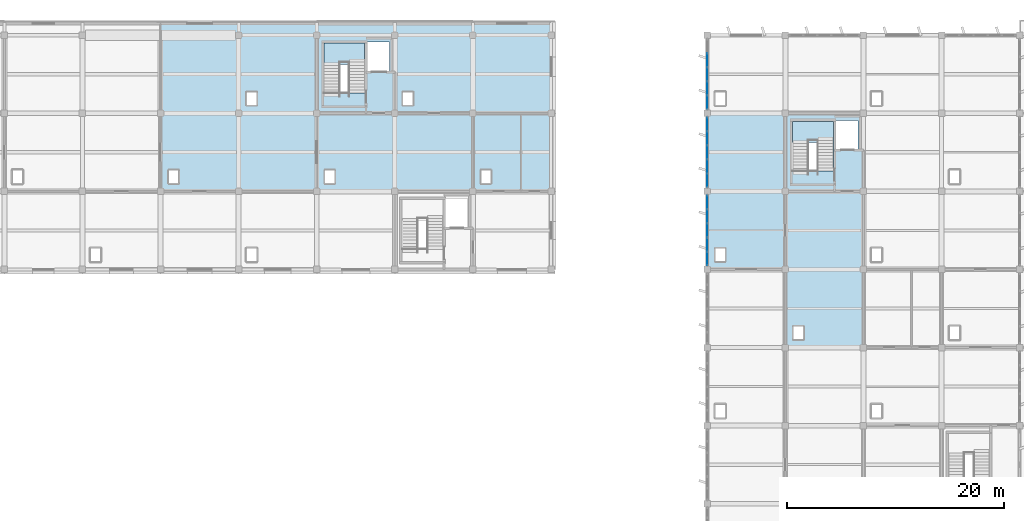
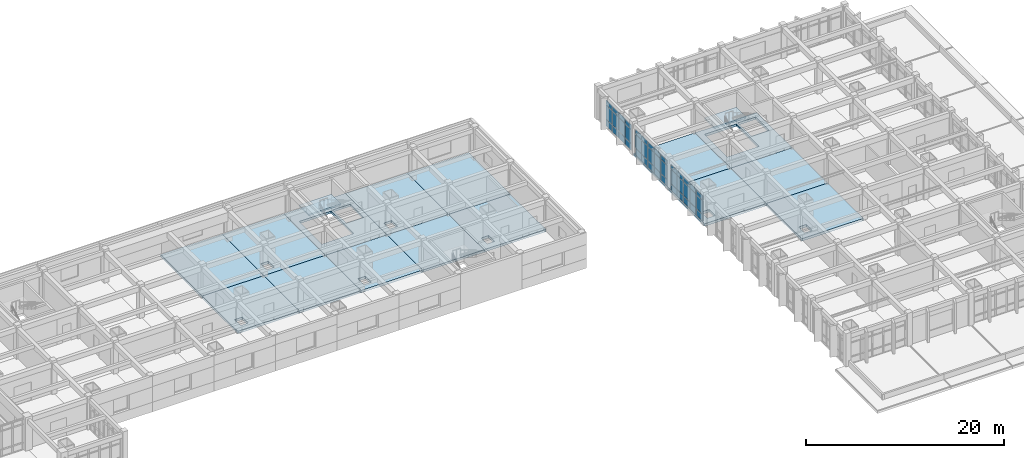
# One storey, part 40 of 62: 42 plates, 17 slabs, 5 elements without a shape of their own.
"""IFC4 building model written with IfcOpenShell, lengths in metres."""

from ifc_helpers import new_model, si_unit, direction, frame, origin, origin_2d, place, context, subcontext, project, spatial, polyline, rectangle, outline, extrude, material, layer, layer_set, type_object, element, aggregate, save


model = new_model("IFC4")

# Units and contexts
model_context = context("Model", 3, precision=1e-05, world=origin(), true_north=direction((0.0, 1.0)))
body_context = subcontext(model_context, "Body", "Model", "MODEL_VIEW")
ifc_project = project(units=[si_unit("LENGTHUNIT", "METRE"), si_unit("AREAUNIT", "SQUARE_METRE"), si_unit("VOLUMEUNIT", "CUBIC_METRE"), si_unit("PLANEANGLEUNIT", "RADIAN"), si_unit("MASSUNIT", "GRAM", prefix="KILO")], contexts=[model_context])

# Site, building, storey
site_placement = place(None, origin())
site = spatial("IfcSite", under=ifc_project, at=site_placement, CompositionType="ELEMENT")
building_placement = place(site_placement, origin())
building = spatial("IfcBuilding", under=site, at=building_placement, Name="Kavelor Marine Aquarium", CompositionType="ELEMENT")
storey_placement = place(building_placement, frame((0.0, 0.0, 13.5)))
storey = spatial("IfcBuildingStorey", under=building, at=storey_placement, Name="L03", CompositionType="ELEMENT", Elevation=13.5)

# Curtain wall, plates
ifc_material_1 = material(Name="Thermally Broken Aluminium and Low-E Glass", Category="aluminium")
ifc_layer_1 = layer(ifc_material_1, 0.18798828125)
ifc_layer_set_1 = layer_set([ifc_layer_1], Name="CW-SYS6")
curtain_wall_type_1 = type_object("IfcCurtainWallType", Name="CW-SYS6", PredefinedType="USERDEFINED", material=ifc_layer_set_1)
curtain_wall_1_placement = place(storey_placement, origin())
curtain_wall_1 = element("IfcCurtainWall", 1, at=curtain_wall_1_placement, inside=storey, type_object=curtain_wall_type_1, Name="cw:y:L03:16_12", ObjectType="Curtain Wall", PredefinedType="USERDEFINED")
ifc_material_2 = material(Name="Solar-Control Double Low-E Glazing", Category="glass")
ifc_layer_2 = layer(ifc_material_2, 0.035888671875)
ifc_layer_set_2 = layer_set([ifc_layer_2], Name="CWP-06")
plate_type_1 = type_object("IfcPlateType", Name="CWP-06", PredefinedType="CURTAIN_PANEL", material=ifc_layer_set_2)
plate_1_placement = place(storey_placement, frame((118.39990234375, 95.388916015625, 0.074951171875), z_axis=(0.0, 0.0, 1.0), x_axis=(0.0, -1.0, 0.0)))
plate_1 = element("IfcPlate", 2, at=plate_1_placement, type_object=plate_type_1, Name="CW06 panel 1.1", PredefinedType="CURTAIN_PANEL", context=body_context, shape_type="SweptSolid", body=[
    extrude(rectangle(XDim=1.2119140625, YDim=0.035888671875, at=origin_2d()), origin(), (0.0, 0.0, 1.0), 0.78759765625),
])
plate_2_placement = place(storey_placement, frame((118.39990234375, 95.388916015625, 0.9375), z_axis=(0.0, 0.0, 1.0), x_axis=(0.0, -1.0, 0.0)))
plate_2 = element("IfcPlate", 3, at=plate_2_placement, type_object=plate_type_1, Name="CW06 panel 1.2", PredefinedType="CURTAIN_PANEL", context=body_context, shape_type="SweptSolid", body=[
    extrude(rectangle(XDim=1.2119140625, YDim=0.035888671875, at=origin_2d()), origin(), (0.0, 0.0, 1.0), 1.675048828125),
])
plate_3_placement = place(storey_placement, frame((118.39990234375, 95.388916015625, 2.6875), z_axis=(0.0, 0.0, 1.0), x_axis=(0.0, -1.0, 0.0)))
plate_3 = element("IfcPlate", 4, at=plate_3_placement, type_object=plate_type_1, Name="CW06 panel 1.3", PredefinedType="CURTAIN_PANEL", context=body_context, shape_type="SweptSolid", body=[
    extrude(rectangle(XDim=1.2119140625, YDim=0.035888671875, at=origin_2d()), origin(), (0.0, 0.0, 1.0), 0.53759765625),
])
plate_4_placement = place(storey_placement, frame((118.39990234375, 94.10205078125, 0.074951171875), z_axis=(0.0, 0.0, 1.0), x_axis=(0.0, -1.0, 0.0)))
plate_4 = element("IfcPlate", 5, at=plate_4_placement, type_object=plate_type_1, Name="CW06 panel 2.1", PredefinedType="CURTAIN_PANEL", context=body_context, shape_type="SweptSolid", body=[
    extrude(rectangle(XDim=1.241943359375, YDim=0.035888671875, at=origin_2d()), origin(), (0.0, 0.0, 1.0), 0.78759765625),
])
plate_5_placement = place(storey_placement, frame((118.39990234375, 94.10205078125, 0.9375), z_axis=(0.0, 0.0, 1.0), x_axis=(0.0, -1.0, 0.0)))
plate_5 = element("IfcPlate", 6, at=plate_5_placement, type_object=plate_type_1, Name="CW06 panel 2.2", PredefinedType="CURTAIN_PANEL", context=body_context, shape_type="SweptSolid", body=[
    extrude(rectangle(XDim=1.241943359375, YDim=0.035888671875, at=origin_2d()), origin(), (0.0, 0.0, 1.0), 1.675048828125),
])
plate_6_placement = place(storey_placement, frame((118.39990234375, 94.10205078125, 2.6875), z_axis=(0.0, 0.0, 1.0), x_axis=(0.0, -1.0, 0.0)))
plate_6 = element("IfcPlate", 7, at=plate_6_placement, type_object=plate_type_1, Name="CW06 panel 2.3", PredefinedType="CURTAIN_PANEL", context=body_context, shape_type="SweptSolid", body=[
    extrude(rectangle(XDim=1.241943359375, YDim=0.035888671875, at=origin_2d()), origin(), (0.0, 0.0, 1.0), 0.53759765625),
])
plate_7_placement = place(storey_placement, frame((118.39990234375, 92.800048828125, 0.074951171875), z_axis=(0.0, 0.0, 1.0), x_axis=(0.0, -1.0, 0.0)))
plate_7 = element("IfcPlate", 8, at=plate_7_placement, type_object=plate_type_1, Name="CW06 panel 3.1", PredefinedType="CURTAIN_PANEL", context=body_context, shape_type="SweptSolid", body=[
    extrude(rectangle(XDim=1.241943359375, YDim=0.035888671875, at=origin_2d()), origin(), (0.0, 0.0, 1.0), 0.78759765625),
])
plate_8_placement = place(storey_placement, frame((118.39990234375, 92.800048828125, 0.9375), z_axis=(0.0, 0.0, 1.0), x_axis=(0.0, -1.0, 0.0)))
plate_8 = element("IfcPlate", 9, at=plate_8_placement, type_object=plate_type_1, Name="CW06 panel 3.2", PredefinedType="CURTAIN_PANEL", context=body_context, shape_type="SweptSolid", body=[
    extrude(rectangle(XDim=1.241943359375, YDim=0.035888671875, at=origin_2d()), origin(), (0.0, 0.0, 1.0), 1.675048828125),
])
plate_9_placement = place(storey_placement, frame((118.39990234375, 92.800048828125, 2.6875), z_axis=(0.0, 0.0, 1.0), x_axis=(0.0, -1.0, 0.0)))
plate_9 = element("IfcPlate", 10, at=plate_9_placement, type_object=plate_type_1, Name="CW06 panel 3.3", PredefinedType="CURTAIN_PANEL", context=body_context, shape_type="SweptSolid", body=[
    extrude(rectangle(XDim=1.241943359375, YDim=0.035888671875, at=origin_2d()), origin(), (0.0, 0.0, 1.0), 0.53759765625),
])
plate_10_placement = place(storey_placement, frame((118.39990234375, 91.498046875, 0.074951171875), z_axis=(0.0, 0.0, 1.0), x_axis=(0.0, -1.0, 0.0)))
plate_10 = element("IfcPlate", 11, at=plate_10_placement, type_object=plate_type_1, Name="CW06 panel 4.1", PredefinedType="CURTAIN_PANEL", context=body_context, shape_type="SweptSolid", body=[
    extrude(rectangle(XDim=1.241943359375, YDim=0.035888671875, at=origin_2d()), origin(), (0.0, 0.0, 1.0), 0.78759765625),
])
plate_11_placement = place(storey_placement, frame((118.39990234375, 91.498046875, 0.9375), z_axis=(0.0, 0.0, 1.0), x_axis=(0.0, -1.0, 0.0)))
plate_11 = element("IfcPlate", 12, at=plate_11_placement, type_object=plate_type_1, Name="CW06 panel 4.2", PredefinedType="CURTAIN_PANEL", context=body_context, shape_type="SweptSolid", body=[
    extrude(rectangle(XDim=1.241943359375, YDim=0.035888671875, at=origin_2d()), origin(), (0.0, 0.0, 1.0), 1.675048828125),
])
plate_12_placement = place(storey_placement, frame((118.39990234375, 91.498046875, 2.6875), z_axis=(0.0, 0.0, 1.0), x_axis=(0.0, -1.0, 0.0)))
plate_12 = element("IfcPlate", 13, at=plate_12_placement, type_object=plate_type_1, Name="CW06 panel 4.3", PredefinedType="CURTAIN_PANEL", context=body_context, shape_type="SweptSolid", body=[
    extrude(rectangle(XDim=1.241943359375, YDim=0.035888671875, at=origin_2d()), origin(), (0.0, 0.0, 1.0), 0.53759765625),
])
plate_13_placement = place(storey_placement, frame((118.39990234375, 90.2109375, 0.074951171875), z_axis=(0.0, 0.0, 1.0), x_axis=(0.0, -1.0, 0.0)))
plate_13 = element("IfcPlate", 14, at=plate_13_placement, type_object=plate_type_1, Name="CW06 panel 5.1", PredefinedType="CURTAIN_PANEL", context=body_context, shape_type="SweptSolid", body=[
    extrude(rectangle(XDim=1.2119140625, YDim=0.035888671875, at=origin_2d()), origin(), (0.0, 0.0, 1.0), 0.78759765625),
])
plate_14_placement = place(storey_placement, frame((118.39990234375, 90.2109375, 0.9375), z_axis=(0.0, 0.0, 1.0), x_axis=(0.0, -1.0, 0.0)))
plate_14 = element("IfcPlate", 15, at=plate_14_placement, type_object=plate_type_1, Name="CW06 panel 5.2", PredefinedType="CURTAIN_PANEL", context=body_context, shape_type="SweptSolid", body=[
    extrude(rectangle(XDim=1.2119140625, YDim=0.035888671875, at=origin_2d()), origin(), (0.0, 0.0, 1.0), 1.675048828125),
])
plate_15_placement = place(storey_placement, frame((118.39990234375, 90.2109375, 2.6875), z_axis=(0.0, 0.0, 1.0), x_axis=(0.0, -1.0, 0.0)))
plate_15 = element("IfcPlate", 16, at=plate_15_placement, type_object=plate_type_1, Name="CW06 panel 5.3", PredefinedType="CURTAIN_PANEL", context=body_context, shape_type="SweptSolid", body=[
    extrude(rectangle(XDim=1.2119140625, YDim=0.035888671875, at=origin_2d()), origin(), (0.0, 0.0, 1.0), 0.53759765625),
])
aggregate(curtain_wall_1, [plate_1, plate_2, plate_3, plate_4, plate_5, plate_6, plate_7, plate_8, plate_9, plate_10, plate_11, plate_12, plate_13, plate_14, plate_15])

ifc_material_3 = material(Name="Thermally Broken Aluminium and Low-E Glass", Category="aluminium")
ifc_layer_3 = layer(ifc_material_3, 0.196044921875)
ifc_layer_set_3 = layer_set([ifc_layer_3], Name="CW-SYS7")
curtain_wall_type_2 = type_object("IfcCurtainWallType", Name="CW-SYS7", PredefinedType="USERDEFINED", material=ifc_layer_set_3)
curtain_wall_2_placement = place(storey_placement, origin())
curtain_wall_2 = element("IfcCurtainWall", 17, at=curtain_wall_2_placement, inside=storey, type_object=curtain_wall_type_2, Name="cw:y:L03:16_13", ObjectType="Curtain Wall", PredefinedType="USERDEFINED")
ifc_material_4 = material(Name="Solar-Control Double Low-E Glazing", Category="glass")
ifc_layer_4 = layer(ifc_material_4, 0.0380859375)
ifc_layer_set_4 = layer_set([ifc_layer_4], Name="CWP-07")
plate_type_2 = type_object("IfcPlateType", Name="CWP-07", PredefinedType="CURTAIN_PANEL", material=ifc_layer_set_4)
plate_16_placement = place(storey_placement, frame((118.39990234375, 102.585205078125, 0.074951171875), z_axis=(0.0, 0.0, 1.0), x_axis=(0.0, -1.0, 0.0)))
plate_16 = element("IfcPlate", 18, at=plate_16_placement, type_object=plate_type_2, Name="CW07 panel 1.1", PredefinedType="CURTAIN_PANEL", context=body_context, shape_type="SweptSolid", body=[
    extrude(rectangle(XDim=1.189453125, YDim=0.0380859375, at=origin_2d()), origin(), (0.0, 0.0, 1.0), 0.78759765625),
])
plate_17_placement = place(storey_placement, frame((118.39990234375, 102.585205078125, 0.9375), z_axis=(0.0, 0.0, 1.0), x_axis=(0.0, -1.0, 0.0)))
plate_17 = element("IfcPlate", 19, at=plate_17_placement, type_object=plate_type_2, Name="CW07 panel 1.2", PredefinedType="CURTAIN_PANEL", context=body_context, shape_type="SweptSolid", body=[
    extrude(rectangle(XDim=1.189453125, YDim=0.0380859375, at=origin_2d()), origin(), (0.0, 0.0, 1.0), 1.675048828125),
])
plate_18_placement = place(storey_placement, frame((118.39990234375, 102.585205078125, 2.6875), z_axis=(0.0, 0.0, 1.0), x_axis=(0.0, -1.0, 0.0)))
plate_18 = element("IfcPlate", 20, at=plate_18_placement, type_object=plate_type_2, Name="CW07 panel 1.3", PredefinedType="CURTAIN_PANEL", context=body_context, shape_type="SweptSolid", body=[
    extrude(rectangle(XDim=1.189453125, YDim=0.0380859375, at=origin_2d()), origin(), (0.0, 0.0, 1.0), 0.53759765625),
])
plate_19_placement = place(storey_placement, frame((118.39990234375, 101.302001953125, 0.074951171875), z_axis=(0.0, 0.0, 1.0), x_axis=(0.0, -1.0, 0.0)))
plate_19 = element("IfcPlate", 21, at=plate_19_placement, type_object=plate_type_2, Name="CW07 panel 2.1", PredefinedType="CURTAIN_PANEL", context=body_context, shape_type="SweptSolid", body=[
    extrude(rectangle(XDim=1.22705078125, YDim=0.0380859375, at=origin_2d()), origin(), (0.0, 0.0, 1.0), 0.78759765625),
])
plate_20_placement = place(storey_placement, frame((118.39990234375, 101.302001953125, 0.9375), z_axis=(0.0, 0.0, 1.0), x_axis=(0.0, -1.0, 0.0)))
plate_20 = element("IfcPlate", 22, at=plate_20_placement, type_object=plate_type_2, Name="CW07 panel 2.2", PredefinedType="CURTAIN_PANEL", context=body_context, shape_type="SweptSolid", body=[
    extrude(rectangle(XDim=1.22705078125, YDim=0.0380859375, at=origin_2d()), origin(), (0.0, 0.0, 1.0), 1.675048828125),
])
plate_21_placement = place(storey_placement, frame((118.39990234375, 101.302001953125, 2.6875), z_axis=(0.0, 0.0, 1.0), x_axis=(0.0, -1.0, 0.0)))
plate_21 = element("IfcPlate", 23, at=plate_21_placement, type_object=plate_type_2, Name="CW07 panel 2.3", PredefinedType="CURTAIN_PANEL", context=body_context, shape_type="SweptSolid", body=[
    extrude(rectangle(XDim=1.22705078125, YDim=0.0380859375, at=origin_2d()), origin(), (0.0, 0.0, 1.0), 0.53759765625),
])
plate_22_placement = place(storey_placement, frame((118.39990234375, 100.0, 0.074951171875), z_axis=(0.0, 0.0, 1.0), x_axis=(0.0, -1.0, 0.0)))
plate_22 = element("IfcPlate", 24, at=plate_22_placement, type_object=plate_type_2, Name="CW07 panel 3.1", PredefinedType="CURTAIN_PANEL", context=body_context, shape_type="SweptSolid", body=[
    extrude(rectangle(XDim=1.22705078125, YDim=0.0380859375, at=origin_2d()), origin(), (0.0, 0.0, 1.0), 0.78759765625),
])
plate_23_placement = place(storey_placement, frame((118.39990234375, 100.0, 0.9375), z_axis=(0.0, 0.0, 1.0), x_axis=(0.0, -1.0, 0.0)))
plate_23 = element("IfcPlate", 25, at=plate_23_placement, type_object=plate_type_2, Name="CW07 panel 3.2", PredefinedType="CURTAIN_PANEL", context=body_context, shape_type="SweptSolid", body=[
    extrude(rectangle(XDim=1.22705078125, YDim=0.0380859375, at=origin_2d()), origin(), (0.0, 0.0, 1.0), 1.675048828125),
])
plate_24_placement = place(storey_placement, frame((118.39990234375, 100.0, 2.6875), z_axis=(0.0, 0.0, 1.0), x_axis=(0.0, -1.0, 0.0)))
plate_24 = element("IfcPlate", 26, at=plate_24_placement, type_object=plate_type_2, Name="CW07 panel 3.3", PredefinedType="CURTAIN_PANEL", context=body_context, shape_type="SweptSolid", body=[
    extrude(rectangle(XDim=1.22705078125, YDim=0.0380859375, at=origin_2d()), origin(), (0.0, 0.0, 1.0), 0.53759765625),
])
plate_25_placement = place(storey_placement, frame((118.39990234375, 98.697998046875, 0.074951171875), z_axis=(0.0, 0.0, 1.0), x_axis=(0.0, -1.0, 0.0)))
plate_25 = element("IfcPlate", 27, at=plate_25_placement, type_object=plate_type_2, Name="CW07 panel 4.1", PredefinedType="CURTAIN_PANEL", context=body_context, shape_type="SweptSolid", body=[
    extrude(rectangle(XDim=1.22705078125, YDim=0.0380859375, at=origin_2d()), origin(), (0.0, 0.0, 1.0), 0.78759765625),
])
plate_26_placement = place(storey_placement, frame((118.39990234375, 98.697998046875, 0.9375), z_axis=(0.0, 0.0, 1.0), x_axis=(0.0, -1.0, 0.0)))
plate_26 = element("IfcPlate", 28, at=plate_26_placement, type_object=plate_type_2, Name="CW07 panel 4.2", PredefinedType="CURTAIN_PANEL", context=body_context, shape_type="SweptSolid", body=[
    extrude(rectangle(XDim=1.22705078125, YDim=0.0380859375, at=origin_2d()), origin(), (0.0, 0.0, 1.0), 1.675048828125),
])
plate_27_placement = place(storey_placement, frame((118.39990234375, 98.697998046875, 2.6875), z_axis=(0.0, 0.0, 1.0), x_axis=(0.0, -1.0, 0.0)))
plate_27 = element("IfcPlate", 29, at=plate_27_placement, type_object=plate_type_2, Name="CW07 panel 4.3", PredefinedType="CURTAIN_PANEL", context=body_context, shape_type="SweptSolid", body=[
    extrude(rectangle(XDim=1.22705078125, YDim=0.0380859375, at=origin_2d()), origin(), (0.0, 0.0, 1.0), 0.53759765625),
])
plate_28_placement = place(storey_placement, frame((118.39990234375, 97.414794921875, 0.074951171875), z_axis=(0.0, 0.0, 1.0), x_axis=(0.0, -1.0, 0.0)))
plate_28 = element("IfcPlate", 30, at=plate_28_placement, type_object=plate_type_2, Name="CW07 panel 5.1", PredefinedType="CURTAIN_PANEL", context=body_context, shape_type="SweptSolid", body=[
    extrude(rectangle(XDim=1.189453125, YDim=0.0380859375, at=origin_2d()), origin(), (0.0, 0.0, 1.0), 0.78759765625),
])
plate_29_placement = place(storey_placement, frame((118.39990234375, 97.414794921875, 0.9375), z_axis=(0.0, 0.0, 1.0), x_axis=(0.0, -1.0, 0.0)))
plate_29 = element("IfcPlate", 31, at=plate_29_placement, type_object=plate_type_2, Name="CW07 panel 5.2", PredefinedType="CURTAIN_PANEL", context=body_context, shape_type="SweptSolid", body=[
    extrude(rectangle(XDim=1.189453125, YDim=0.0380859375, at=origin_2d()), origin(), (0.0, 0.0, 1.0), 1.675048828125),
])
plate_30_placement = place(storey_placement, frame((118.39990234375, 97.414794921875, 2.6875), z_axis=(0.0, 0.0, 1.0), x_axis=(0.0, -1.0, 0.0)))
plate_30 = element("IfcPlate", 32, at=plate_30_placement, type_object=plate_type_2, Name="CW07 panel 5.3", PredefinedType="CURTAIN_PANEL", context=body_context, shape_type="SweptSolid", body=[
    extrude(rectangle(XDim=1.189453125, YDim=0.0380859375, at=origin_2d()), origin(), (0.0, 0.0, 1.0), 0.53759765625),
])
aggregate(curtain_wall_2, [plate_16, plate_17, plate_18, plate_19, plate_20, plate_21, plate_22, plate_23, plate_24, plate_25, plate_26, plate_27, plate_28, plate_29, plate_30])

ifc_material_5 = material(Name="Thermally Broken Aluminium and Low-E Glass", Category="aluminium")
ifc_layer_5 = layer(ifc_material_5, 0.2041015625)
ifc_layer_set_5 = layer_set([ifc_layer_5], Name="CW-SYS8")
curtain_wall_type_3 = type_object("IfcCurtainWallType", Name="CW-SYS8", PredefinedType="USERDEFINED", material=ifc_layer_set_5)
curtain_wall_3_placement = place(storey_placement, origin())
curtain_wall_3 = element("IfcCurtainWall", 33, at=curtain_wall_3_placement, inside=storey, type_object=curtain_wall_type_3, Name="cw:y:L03:16_14", ObjectType="Curtain Wall", PredefinedType="USERDEFINED")
ifc_material_6 = material(Name="Solar-Control Double Low-E Glazing", Category="glass")
ifc_layer_6 = layer(ifc_material_6, 0.0400390625)
ifc_layer_set_6 = layer_set([ifc_layer_6], Name="CWP-08")
plate_type_3 = type_object("IfcPlateType", Name="CWP-08", PredefinedType="CURTAIN_PANEL", material=ifc_layer_set_6)
plate_31_placement = place(storey_placement, frame((118.39990234375, 108.501953125, 0.06494140625), z_axis=(0.0, 0.0, 1.0), x_axis=(0.0, -1.0, 0.0)))
plate_31 = element("IfcPlate", 34, at=plate_31_placement, type_object=plate_type_3, Name="CW08 panel 2.1", PredefinedType="CURTAIN_PANEL", context=body_context, shape_type="SweptSolid", body=[
    extrude(rectangle(XDim=1.237060546875, YDim=0.0400390625, at=origin_2d()), origin(), (0.0, 0.0, 1.0), 0.802490234375),
])
plate_32_placement = place(storey_placement, frame((118.39990234375, 108.501953125, 0.932373046875), z_axis=(0.0, 0.0, 1.0), x_axis=(0.0, -1.0, 0.0)))
plate_32 = element("IfcPlate", 35, at=plate_32_placement, type_object=plate_type_3, Name="CW08 panel 2.2", PredefinedType="CURTAIN_PANEL", context=body_context, shape_type="SweptSolid", body=[
    extrude(rectangle(XDim=1.237060546875, YDim=0.0400390625, at=origin_2d()), origin(), (0.0, 0.0, 1.0), 1.68505859375),
])
plate_33_placement = place(storey_placement, frame((118.39990234375, 108.501953125, 2.6826171875), z_axis=(0.0, 0.0, 1.0), x_axis=(0.0, -1.0, 0.0)))
plate_33 = element("IfcPlate", 36, at=plate_33_placement, type_object=plate_type_3, Name="CW08 panel 2.3", PredefinedType="CURTAIN_PANEL", context=body_context, shape_type="SweptSolid", body=[
    extrude(rectangle(XDim=1.237060546875, YDim=0.0400390625, at=origin_2d()), origin(), (0.0, 0.0, 1.0), 0.552490234375),
])
plate_34_placement = place(storey_placement, frame((118.39990234375, 107.199951171875, 0.06494140625), z_axis=(0.0, 0.0, 1.0), x_axis=(0.0, -1.0, 0.0)))
plate_34 = element("IfcPlate", 37, at=plate_34_placement, type_object=plate_type_3, Name="CW08 panel 3.1", PredefinedType="CURTAIN_PANEL", context=body_context, shape_type="SweptSolid", body=[
    extrude(rectangle(XDim=1.237060546875, YDim=0.0400390625, at=origin_2d()), origin(), (0.0, 0.0, 1.0), 0.802490234375),
])
plate_35_placement = place(storey_placement, frame((118.39990234375, 107.199951171875, 0.932373046875), z_axis=(0.0, 0.0, 1.0), x_axis=(0.0, -1.0, 0.0)))
plate_35 = element("IfcPlate", 38, at=plate_35_placement, type_object=plate_type_3, Name="CW08 panel 3.2", PredefinedType="CURTAIN_PANEL", context=body_context, shape_type="SweptSolid", body=[
    extrude(rectangle(XDim=1.237060546875, YDim=0.0400390625, at=origin_2d()), origin(), (0.0, 0.0, 1.0), 1.68505859375),
])
plate_36_placement = place(storey_placement, frame((118.39990234375, 107.199951171875, 2.6826171875), z_axis=(0.0, 0.0, 1.0), x_axis=(0.0, -1.0, 0.0)))
plate_36 = element("IfcPlate", 39, at=plate_36_placement, type_object=plate_type_3, Name="CW08 panel 3.3", PredefinedType="CURTAIN_PANEL", context=body_context, shape_type="SweptSolid", body=[
    extrude(rectangle(XDim=1.237060546875, YDim=0.0400390625, at=origin_2d()), origin(), (0.0, 0.0, 1.0), 0.552490234375),
])
plate_37_placement = place(storey_placement, frame((118.39990234375, 105.89794921875, 0.06494140625), z_axis=(0.0, 0.0, 1.0), x_axis=(0.0, -1.0, 0.0)))
plate_37 = element("IfcPlate", 40, at=plate_37_placement, type_object=plate_type_3, Name="CW08 panel 4.1", PredefinedType="CURTAIN_PANEL", context=body_context, shape_type="SweptSolid", body=[
    extrude(rectangle(XDim=1.237060546875, YDim=0.0400390625, at=origin_2d()), origin(), (0.0, 0.0, 1.0), 0.802490234375),
])
plate_38_placement = place(storey_placement, frame((118.39990234375, 105.89794921875, 0.932373046875), z_axis=(0.0, 0.0, 1.0), x_axis=(0.0, -1.0, 0.0)))
plate_38 = element("IfcPlate", 41, at=plate_38_placement, type_object=plate_type_3, Name="CW08 panel 4.2", PredefinedType="CURTAIN_PANEL", context=body_context, shape_type="SweptSolid", body=[
    extrude(rectangle(XDim=1.237060546875, YDim=0.0400390625, at=origin_2d()), origin(), (0.0, 0.0, 1.0), 1.68505859375),
])
plate_39_placement = place(storey_placement, frame((118.39990234375, 105.89794921875, 2.6826171875), z_axis=(0.0, 0.0, 1.0), x_axis=(0.0, -1.0, 0.0)))
plate_39 = element("IfcPlate", 42, at=plate_39_placement, type_object=plate_type_3, Name="CW08 panel 4.3", PredefinedType="CURTAIN_PANEL", context=body_context, shape_type="SweptSolid", body=[
    extrude(rectangle(XDim=1.237060546875, YDim=0.0400390625, at=origin_2d()), origin(), (0.0, 0.0, 1.0), 0.552490234375),
])
plate_40_placement = place(storey_placement, frame((118.39990234375, 104.6123046875, 0.06494140625), z_axis=(0.0, 0.0, 1.0), x_axis=(0.0, -1.0, 0.0)))
plate_40 = element("IfcPlate", 43, at=plate_40_placement, type_object=plate_type_3, Name="CW08 panel 5.1", PredefinedType="CURTAIN_PANEL", context=body_context, shape_type="SweptSolid", body=[
    extrude(rectangle(XDim=1.20458984375, YDim=0.0400390625, at=origin_2d()), origin(), (0.0, 0.0, 1.0), 0.802490234375),
])
plate_41_placement = place(storey_placement, frame((118.39990234375, 104.6123046875, 0.932373046875), z_axis=(0.0, 0.0, 1.0), x_axis=(0.0, -1.0, 0.0)))
plate_41 = element("IfcPlate", 44, at=plate_41_placement, type_object=plate_type_3, Name="CW08 panel 5.2", PredefinedType="CURTAIN_PANEL", context=body_context, shape_type="SweptSolid", body=[
    extrude(rectangle(XDim=1.20458984375, YDim=0.0400390625, at=origin_2d()), origin(), (0.0, 0.0, 1.0), 1.68505859375),
])
plate_42_placement = place(storey_placement, frame((118.39990234375, 104.6123046875, 2.6826171875), z_axis=(0.0, 0.0, 1.0), x_axis=(0.0, -1.0, 0.0)))
plate_42 = element("IfcPlate", 45, at=plate_42_placement, type_object=plate_type_3, Name="CW08 panel 5.3", PredefinedType="CURTAIN_PANEL", context=body_context, shape_type="SweptSolid", body=[
    extrude(rectangle(XDim=1.20458984375, YDim=0.0400390625, at=origin_2d()), origin(), (0.0, 0.0, 1.0), 0.552490234375),
])
aggregate(curtain_wall_3, [plate_31, plate_32, plate_33, plate_34, plate_35, plate_36, plate_37, plate_38, plate_39, plate_40, plate_41, plate_42])

# Stair, slab
ifc_material_7 = material(Name="Concrete C40/50", Category="concrete")
stair_type = type_object("IfcStairType", Name="ST-T4", PredefinedType="HALF_TURN_STAIR", material=ifc_material_7)
stair_1_placement = place(storey_placement, origin())
stair_1 = element("IfcStair", 46, at=stair_1_placement, inside=storey, type_object=stair_type, Name="Exit Stair ST06 (L03)", PredefinedType="HALF_TURN_STAIR")
ifc_material_8 = material(Name="Concrete C40/50", Category="concrete")
ifc_layer_7 = layer(ifc_material_8, 0.199951171875)
ifc_layer_set_7 = layer_set([ifc_layer_7], Name="LND-T4")
slab_type_1 = type_object("IfcSlabType", Name="LND-T4", PredefinedType="LANDING", material=ifc_layer_set_7)
slab_1_placement = place(storey_placement, frame((0.0, 0.0, 1.8701171875)))
slab_1 = element("IfcSlab", 47, at=slab_1_placement, type_object=slab_type_1, Name="ST06 landing 1", PredefinedType="LANDING", context=body_context, shape_type="SweptSolid", body=[
    extrude(outline(polyline([(83.06005859375, 108.114990234375), (86.820068359375, 108.114990234375), (86.820068359375, 110.06005859375), (83.06005859375, 110.06005859375), (83.06005859375, 108.114990234375)])), origin(), (0.0, 0.0, 1.0), 0.199951171875),
])
aggregate(stair_1, [slab_1])

stair_2_placement = place(storey_placement, origin())
stair_2 = element("IfcStair", 48, at=stair_2_placement, inside=storey, type_object=stair_type, Name="Exit Stair ST10 (L03)", PredefinedType="HALF_TURN_STAIR")
slab_2_placement = place(storey_placement, frame((0.0, 0.0, 1.8701171875)))
slab_2 = element("IfcSlab", 49, at=slab_2_placement, type_object=slab_type_1, Name="ST10 landing 1", PredefinedType="LANDING", context=body_context, shape_type="SweptSolid", body=[
    extrude(outline(polyline([(126.260009765625, 100.9150390625), (130.02001953125, 100.9150390625), (130.02001953125, 102.860107421875), (126.260009765625, 102.860107421875), (126.260009765625, 100.9150390625)])), origin(), (0.0, 0.0, 1.0), 0.199951171875),
])
aggregate(stair_2, [slab_2])

# Slabs
ifc_material_9 = material(Name="Concrete C40/50", Category="concrete")
ifc_layer_8 = layer(ifc_material_9, 0.300048828125)
ifc_layer_set_8 = layer_set([ifc_layer_8], Name="SL-FL1")
slab_type_2 = type_object("IfcSlabType", Name="SL-FL1", PredefinedType="FLOOR", material=ifc_layer_set_8)
slab_3_placement = place(storey_placement, frame((0.0, 0.0, -0.300048828125)))
element("IfcSlab", 50, at=slab_3_placement, inside=storey, type_object=slab_type_2, Name="slab:L03:09_13", PredefinedType="FLOOR", context=body_context, shape_type="SweptSolid", body=[
    extrude(outline(polyline([(68.0, 96.39990234375), (75.199951171875, 96.39990234375), (75.199951171875, 103.60009765625), (68.0, 103.60009765625), (68.0, 96.39990234375)]), holes=[polyline([(68.75, 97.14990234375), (69.64990234375, 97.14990234375), (69.64990234375, 98.35009765625), (68.75, 98.35009765625), (68.75, 97.14990234375)])]), origin(), (0.0, 0.0, 1.0), 0.300048828125),
])
slab_4_placement = place(storey_placement, frame((0.0, 0.0, -0.300048828125)))
element("IfcSlab", 51, at=slab_4_placement, inside=storey, type_object=slab_type_2, Name="slab:L03:10_14", PredefinedType="FLOOR", context=body_context, shape_type="SweptSolid", body=[
    extrude(outline(polyline([(75.199951171875, 103.60009765625), (82.39990234375, 103.60009765625), (82.39990234375, 112.0400390625), (75.199951171875, 112.0400390625), (75.199951171875, 103.60009765625)]), holes=[polyline([(75.949951171875, 104.35009765625), (76.85009765625, 104.35009765625), (76.85009765625, 105.550048828125), (75.949951171875, 105.550048828125), (75.949951171875, 104.35009765625)])]), origin(), (0.0, 0.0, 1.0), 0.300048828125),
])
slab_5_placement = place(storey_placement, frame((0.0, 0.0, -0.300048828125)))
element("IfcSlab", 52, at=slab_5_placement, inside=storey, type_object=slab_type_2, Name="slab:L03:11_13", PredefinedType="FLOOR", context=body_context, shape_type="SweptSolid", body=[
    extrude(outline(polyline([(82.39990234375, 96.39990234375), (89.60009765625, 96.39990234375), (89.60009765625, 103.60009765625), (82.39990234375, 103.60009765625), (82.39990234375, 96.39990234375)]), holes=[polyline([(83.14990234375, 97.14990234375), (84.050048828125, 97.14990234375), (84.050048828125, 98.35009765625), (83.14990234375, 98.35009765625), (83.14990234375, 97.14990234375)])]), origin(), (0.0, 0.0, 1.0), 0.300048828125),
])
slab_6_placement = place(storey_placement, frame((0.0, 0.0, -0.300048828125)))
element("IfcSlab", 53, at=slab_6_placement, inside=storey, type_object=slab_type_2, Name="slab:L03:12_14", PredefinedType="FLOOR", context=body_context, shape_type="SweptSolid", body=[
    extrude(outline(polyline([(89.60009765625, 103.60009765625), (96.800048828125, 103.60009765625), (96.800048828125, 112.0400390625), (89.60009765625, 112.0400390625), (89.60009765625, 103.60009765625)]), holes=[polyline([(90.35009765625, 104.35009765625), (91.25, 104.35009765625), (91.25, 105.550048828125), (90.35009765625, 105.550048828125), (90.35009765625, 104.35009765625)])]), origin(), (0.0, 0.0, 1.0), 0.300048828125),
])
slab_7_placement = place(storey_placement, frame((0.0, 0.0, -0.300048828125)))
element("IfcSlab", 54, at=slab_7_placement, inside=storey, type_object=slab_type_2, Name="slab:L03:13_13", PredefinedType="FLOOR", context=body_context, shape_type="SweptSolid", body=[
    extrude(outline(polyline([(96.800048828125, 96.39990234375), (104.0, 96.39990234375), (104.0, 103.60009765625), (96.800048828125, 103.60009765625), (96.800048828125, 96.39990234375)]), holes=[polyline([(97.550048828125, 97.14990234375), (98.449951171875, 97.14990234375), (98.449951171875, 98.35009765625), (97.550048828125, 98.35009765625), (97.550048828125, 97.14990234375)])]), origin(), (0.0, 0.0, 1.0), 0.300048828125),
])
slab_8_placement = place(storey_placement, frame((0.0, 0.0, -0.300048828125)))
element("IfcSlab", 55, at=slab_8_placement, inside=storey, type_object=slab_type_2, Name="slab:L03:16_12", PredefinedType="FLOOR", context=body_context, shape_type="SweptSolid", body=[
    extrude(outline(polyline([(118.39990234375, 89.199951171875), (125.60009765625, 89.199951171875), (125.60009765625, 96.39990234375), (118.39990234375, 96.39990234375), (118.39990234375, 89.199951171875)]), holes=[polyline([(119.14990234375, 89.949951171875), (120.050048828125, 89.949951171875), (120.050048828125, 91.14990234375), (119.14990234375, 91.14990234375), (119.14990234375, 89.949951171875)])]), origin(), (0.0, 0.0, 1.0), 0.300048828125),
])
slab_9_placement = place(storey_placement, frame((0.0, 0.0, -0.300048828125)))
element("IfcSlab", 56, at=slab_9_placement, inside=storey, type_object=slab_type_2, Name="slab:L03:17_11", PredefinedType="FLOOR", context=body_context, shape_type="SweptSolid", body=[
    extrude(outline(polyline([(125.60009765625, 82.0), (132.800048828125, 82.0), (132.800048828125, 89.199951171875), (125.60009765625, 89.199951171875), (125.60009765625, 82.0)]), holes=[polyline([(126.35009765625, 82.75), (127.25, 82.75), (127.25, 83.949951171875), (126.35009765625, 83.949951171875), (126.35009765625, 82.75)])]), origin(), (0.0, 0.0, 1.0), 0.300048828125),
])
slab_10_placement = place(storey_placement, frame((0.0, 0.0, -0.300048828125)))
element("IfcSlab", 57, at=slab_10_placement, inside=storey, type_object=slab_type_2, Name="slab:L03:17_13", PredefinedType="FLOOR", context=body_context, shape_type="SweptSolid", body=[
    extrude(outline(polyline([(125.60009765625, 96.39990234375), (132.800048828125, 96.39990234375), (132.800048828125, 103.60009765625), (125.60009765625, 103.60009765625), (125.60009765625, 96.39990234375)]), holes=[polyline([(126.280029296875, 98.282958984375), (130.0, 98.282958984375), (130.0, 102.8701171875), (126.280029296875, 102.8701171875), (126.280029296875, 98.282958984375)]), polyline([(130.260009765625, 100.25), (132.300048828125, 100.25), (132.300048828125, 102.949951171875), (130.199951171875, 102.949951171875), (130.260009765625, 100.25)])]), origin(), (0.0, 0.0, 1.0), 0.300048828125),
])
ifc_material_10 = material(Name="Concrete C40/50", Category="concrete")
ifc_layer_9 = layer(ifc_material_10, 0.280029296875)
ifc_layer_set_9 = layer_set([ifc_layer_9], Name="SL-FL2")
slab_type_3 = type_object("IfcSlabType", Name="SL-FL2", PredefinedType="FLOOR", material=ifc_layer_set_9)
slab_11_placement = place(storey_placement, frame((0.0, 0.0, -0.280029296875)))
element("IfcSlab", 58, at=slab_11_placement, inside=storey, type_object=slab_type_3, Name="slab:L03:09_14", PredefinedType="FLOOR", context=body_context, shape_type="SweptSolid", body=[
    extrude(outline(polyline([(68.0, 103.60009765625), (75.199951171875, 103.60009765625), (75.199951171875, 112.0400390625), (68.0, 112.0400390625), (68.0, 103.60009765625)])), origin(), (0.0, 0.0, 1.0), 0.280029296875),
])
slab_12_placement = place(storey_placement, frame((0.0, 0.0, -0.280029296875)))
element("IfcSlab", 59, at=slab_12_placement, inside=storey, type_object=slab_type_3, Name="slab:L03:10_13", PredefinedType="FLOOR", context=body_context, shape_type="SweptSolid", body=[
    extrude(outline(polyline([(75.199951171875, 96.39990234375), (82.39990234375, 96.39990234375), (82.39990234375, 103.60009765625), (75.199951171875, 103.60009765625), (75.199951171875, 96.39990234375)])), origin(), (0.0, 0.0, 1.0), 0.280029296875),
])
slab_13_placement = place(storey_placement, frame((0.0, 0.0, -0.280029296875)))
element("IfcSlab", 60, at=slab_13_placement, inside=storey, type_object=slab_type_3, Name="slab:L03:11_14", PredefinedType="FLOOR", context=body_context, shape_type="SweptSolid", body=[
    extrude(outline(polyline([(82.39990234375, 103.60009765625), (89.60009765625, 103.60009765625), (89.60009765625, 112.0400390625), (82.39990234375, 112.0400390625), (82.39990234375, 103.60009765625)]), holes=[polyline([(83.080078125, 105.48291015625), (86.800048828125, 105.48291015625), (86.800048828125, 110.070068359375), (83.080078125, 110.070068359375), (83.080078125, 105.48291015625)]), polyline([(87.06005859375, 107.449951171875), (89.10009765625, 107.449951171875), (89.10009765625, 110.14990234375), (87.0, 110.14990234375), (87.06005859375, 107.449951171875)])]), origin(), (0.0, 0.0, 1.0), 0.280029296875),
])
slab_14_placement = place(storey_placement, frame((0.0, 0.0, -0.280029296875)))
element("IfcSlab", 61, at=slab_14_placement, inside=storey, type_object=slab_type_3, Name="slab:L03:12_13", PredefinedType="FLOOR", context=body_context, shape_type="SweptSolid", body=[
    extrude(outline(polyline([(89.60009765625, 96.39990234375), (96.800048828125, 96.39990234375), (96.800048828125, 103.60009765625), (89.60009765625, 103.60009765625), (89.60009765625, 96.39990234375)])), origin(), (0.0, 0.0, 1.0), 0.280029296875),
])
slab_15_placement = place(storey_placement, frame((0.0, 0.0, -0.280029296875)))
element("IfcSlab", 62, at=slab_15_placement, inside=storey, type_object=slab_type_3, Name="slab:L03:13_14", PredefinedType="FLOOR", context=body_context, shape_type="SweptSolid", body=[
    extrude(outline(polyline([(96.800048828125, 103.60009765625), (104.0, 103.60009765625), (104.0, 112.0400390625), (96.800048828125, 112.0400390625), (96.800048828125, 103.60009765625)])), origin(), (0.0, 0.0, 1.0), 0.280029296875),
])
slab_16_placement = place(storey_placement, frame((0.0, 0.0, -0.280029296875)))
element("IfcSlab", 63, at=slab_16_placement, inside=storey, type_object=slab_type_3, Name="slab:L03:16_13", PredefinedType="FLOOR", context=body_context, shape_type="SweptSolid", body=[
    extrude(outline(polyline([(118.39990234375, 96.39990234375), (125.60009765625, 96.39990234375), (125.60009765625, 103.60009765625), (118.39990234375, 103.60009765625), (118.39990234375, 96.39990234375)])), origin(), (0.0, 0.0, 1.0), 0.280029296875),
])
slab_17_placement = place(storey_placement, frame((0.0, 0.0, -0.280029296875)))
element("IfcSlab", 64, at=slab_17_placement, inside=storey, type_object=slab_type_3, Name="slab:L03:17_12", PredefinedType="FLOOR", context=body_context, shape_type="SweptSolid", body=[
    extrude(outline(polyline([(125.60009765625, 89.199951171875), (132.800048828125, 89.199951171875), (132.800048828125, 96.39990234375), (125.60009765625, 96.39990234375), (125.60009765625, 89.199951171875)])), origin(), (0.0, 0.0, 1.0), 0.280029296875),
])

save(model, "model.ifc")
